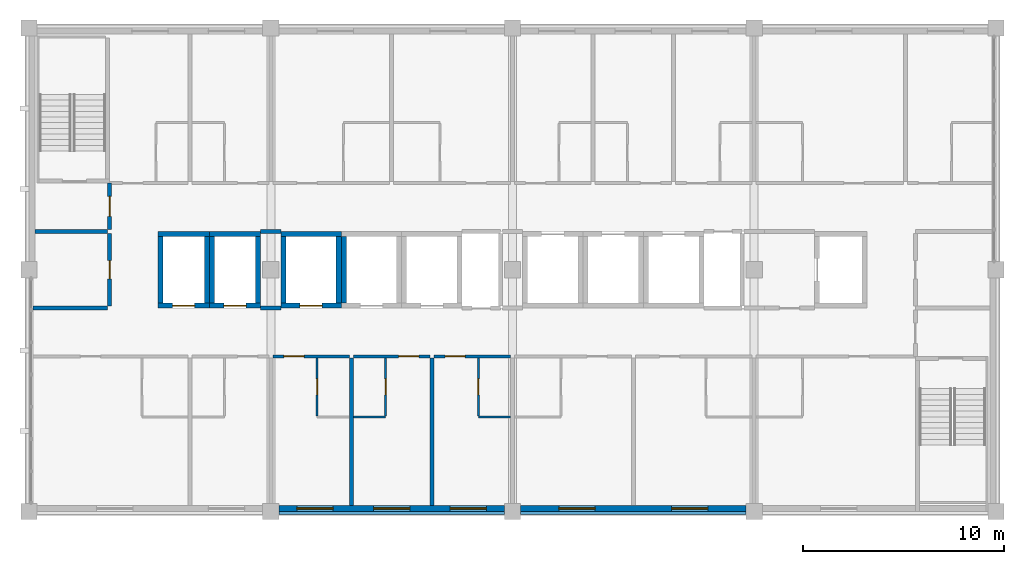
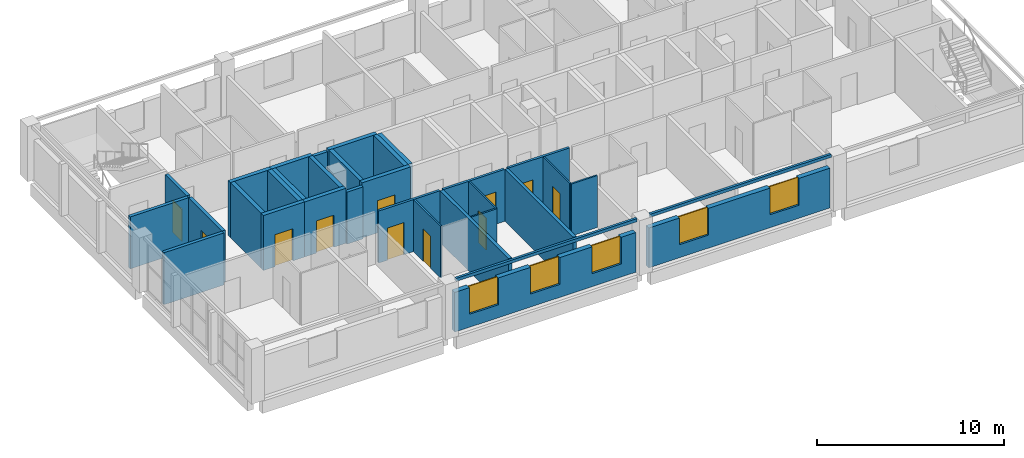
# One storey, part 6 of 11: 33 walls, 11 doors, 5 windows, 16 openings.
"""IFC4 building model written with IfcOpenShell, lengths in metres."""

from ifc_helpers import new_model, si_unit, direction, frame, frame_2d, origin, place, context, subcontext, project, spatial, rectangle, extrude, material, layer, layer_set, type_object, element, fill, save


model = new_model("IFC4")

# Units and contexts
model_context = context("Model", 3, precision=1e-05, world=origin(), true_north=direction((0.0, 1.0)))
body_context = subcontext(model_context, "Body", "Model", "MODEL_VIEW")
ifc_project = project(units=[si_unit("LENGTHUNIT", "METRE"), si_unit("AREAUNIT", "SQUARE_METRE"), si_unit("VOLUMEUNIT", "CUBIC_METRE"), si_unit("PLANEANGLEUNIT", "RADIAN"), si_unit("MASSUNIT", "GRAM", prefix="KILO")], contexts=[model_context])

# Site, building, storey
site_placement = place(None, origin())
site = spatial("IfcSite", under=ifc_project, at=site_placement, CompositionType="ELEMENT")
building_placement = place(site_placement, origin())
building = spatial("IfcBuilding", under=site, at=building_placement, Name="Lilac Gate Convention Centre", CompositionType="ELEMENT")
storey_placement = place(building_placement, frame((0.0, 0.0, 46.199951171875)))
storey = spatial("IfcBuildingStorey", under=building, at=storey_placement, Name="L11", CompositionType="ELEMENT", Elevation=46.199951171875)

# Wall, opening, door
ifc_material_1 = material(Name="Concrete C50", Category="concrete")
ifc_layer_1 = layer(ifc_material_1, 0.25)
ifc_layer_set_1 = layer_set([ifc_layer_1], Name="Concrete C50")
wall_type_1 = type_object("IfcWallType", Name="Core wall 250 C50", PredefinedType="SHEAR", material=ifc_layer_set_1)
wall_1_placement = place(storey_placement, frame((54.5, 232.22509765625, 0.0), z_axis=(0.0, 0.0, 1.0), x_axis=(1.0, 0.0, 0.0)))
wall_1 = element("IfcWall", 1, at=wall_1_placement, inside=storey, type_object=wall_type_1, Name="CRW4 core wall TC L11 1", PredefinedType="SHEAR", context=body_context, shape_type="SweptSolid", body=[
    extrude(rectangle(XDim=3.0, YDim=0.25, at=frame_2d((1.5, 0.0))), origin(), (0.0, 0.0, 1.0), 3.60009765625),
])
opening_1_placement = place(wall_1_placement, frame((0.949951171875, 0.0, 0.0)))
opening_1 = element("IfcOpeningElement", 2, at=opening_1_placement, cuts=wall_1, Name="Opening T10-042", PredefinedType="OPENING", context=body_context, shape_type="SweptSolid", body=[
    extrude(rectangle(XDim=1.10009765625, YDim=2.10009765625, at=frame_2d((0.550048828125, 1.050048828125))), frame((0.0, 0.135009765625, 0.0), z_axis=(0.0, -1.0, 0.0), x_axis=(1.0, 0.0, 0.0)), (0.0, 0.0, 1.0), 0.27001953125),
])
ifc_material_2 = material(Name="Stainless steel 304", Category="steel")
door_type_1 = type_object("IfcDoorType", Name="Lift landing door 1100", OperationType="SLIDING_TO_LEFT", PredefinedType="DOOR", material=ifc_material_2)
door_1_placement = place(opening_1_placement, origin())
door_1 = element("IfcDoor", 3, at=door_1_placement, inside=storey, type_object=door_type_1, Name="Lift landing door TP1 L11", OperationType="SLIDING_TO_LEFT", OverallHeight=2.10009765625, OverallWidth=1.10009765625, PredefinedType="DOOR", context=body_context, shape_type="SweptSolid", body=[
    extrude(rectangle(XDim=1.10009765625, YDim=2.10009765625, at=frame_2d((0.550048828125, 1.050048828125))), frame((0.0, 0.02490234375, 0.0), z_axis=(0.0, -1.0, 0.0), x_axis=(1.0, 0.0, 0.0)), (0.0, 0.0, 1.0), 0.050048828125),
])
fill(opening_1, door_1)

# Walls
wall_2_placement = place(storey_placement, frame((54.5, 235.77490234375, 0.0), z_axis=(0.0, 0.0, 1.0), x_axis=(1.0, 0.0, 0.0)))
element("IfcWall", 4, at=wall_2_placement, inside=storey, type_object=wall_type_1, Name="CRW4 core wall TC L11 2", PredefinedType="SHEAR", context=body_context, shape_type="SweptSolid", body=[
    extrude(rectangle(XDim=3.0, YDim=0.25, at=frame_2d((1.5, 0.0))), origin(), (0.0, 0.0, 1.0), 3.60009765625),
])
for number, where, z_axis, x_axis, name in (
    (5, (54.625, 232.35009765625, 0.0), (0.0, 0.0, 1.0), (0.0, 1.0, 0.0), "CRW4 core wall TC L11 3"),
    (6, (57.375, 232.35009765625, 0.0), (0.0, 0.0, 1.0), (0.0, 1.0, 0.0), "CRW4 core wall TC L11 4"),
    (7, (57.625, 232.35009765625, 0.0), (0.0, 0.0, 1.0), (0.0, 1.0, 0.0), "CRW4 core wall TC L11 7"),
):
    element("IfcWall", number, at=place(storey_placement, frame(where, z_axis=z_axis, x_axis=x_axis)), inside=storey, type_object=wall_type_1, Name=name, PredefinedType="SHEAR", context=body_context, shape_type="SweptSolid", body=[
        extrude(rectangle(XDim=3.2998046875, YDim=0.25, at=frame_2d((1.64990234375, 0.0))), origin(), (0.0, 0.0, 1.0), 3.60009765625),
    ])

# Wall, opening, door
wall_3_placement = place(storey_placement, frame((48.39990234375, 232.22509765625, 0.0), z_axis=(0.0, 0.0, 1.0), x_axis=(1.0, 0.0, 0.0)))
wall_3 = element("IfcWall", 8, at=wall_3_placement, inside=storey, type_object=wall_type_1, Name="CRW4 core wall TC L11 25", PredefinedType="SHEAR", context=body_context, shape_type="SweptSolid", body=[
    extrude(rectangle(XDim=2.550048828125, YDim=0.25, at=frame_2d((1.27490234375, 0.0))), origin(), (0.0, 0.0, 1.0), 3.60009765625),
])
opening_2_placement = place(wall_3_placement, frame((0.72509765625, 0.0, 0.0)))
opening_2 = element("IfcOpeningElement", 9, at=opening_2_placement, cuts=wall_3, Name="Opening T10-048", PredefinedType="OPENING", context=body_context, shape_type="SweptSolid", body=[
    extrude(rectangle(XDim=1.10009765625, YDim=2.10009765625, at=frame_2d((0.550048828125, 1.050048828125))), frame((0.0, 0.135009765625, 0.0), z_axis=(0.0, -1.0, 0.0), x_axis=(1.0, 0.0, 0.0)), (0.0, 0.0, 1.0), 0.27001953125),
])
door_2_placement = place(opening_2_placement, origin())
door_2 = element("IfcDoor", 10, at=door_2_placement, inside=storey, type_object=door_type_1, Name="Lift landing door TS1 L11", OperationType="SLIDING_TO_LEFT", OverallHeight=2.10009765625, OverallWidth=1.10009765625, PredefinedType="DOOR", context=body_context, shape_type="SweptSolid", body=[
    extrude(rectangle(XDim=1.10009765625, YDim=2.10009765625, at=frame_2d((0.550048828125, 1.050048828125))), frame((0.0, 0.02490234375, 0.0), z_axis=(0.0, -1.0, 0.0), x_axis=(1.0, 0.0, 0.0)), (0.0, 0.0, 1.0), 0.050048828125),
])
fill(opening_2, door_2)

# Walls
wall_4_placement = place(storey_placement, frame((48.39990234375, 235.77490234375, 0.0), z_axis=(0.0, 0.0, 1.0), x_axis=(1.0, 0.0, 0.0)))
element("IfcWall", 11, at=wall_4_placement, inside=storey, type_object=wall_type_1, Name="CRW4 core wall TC L11 26", PredefinedType="SHEAR", context=body_context, shape_type="SweptSolid", body=[
    extrude(rectangle(XDim=2.550048828125, YDim=0.25, at=frame_2d((1.27490234375, 0.0))), origin(), (0.0, 0.0, 1.0), 3.60009765625),
])
for number, where, z_axis, x_axis, name in (
    (12, (48.52490234375, 232.35009765625, 0.0), (0.0, 0.0, 1.0), (0.0, 1.0, 0.0), "CRW4 core wall TC L11 27"),
    (13, (50.824951171875, 232.35009765625, 0.0), (0.0, 0.0, 1.0), (0.0, 1.0, 0.0), "CRW4 core wall TC L11 28"),
):
    element("IfcWall", number, at=place(storey_placement, frame(where, z_axis=z_axis, x_axis=x_axis)), inside=storey, type_object=wall_type_1, Name=name, PredefinedType="SHEAR", context=body_context, shape_type="SweptSolid", body=[
        extrude(rectangle(XDim=3.2998046875, YDim=0.25, at=frame_2d((1.64990234375, 0.0))), origin(), (0.0, 0.0, 1.0), 3.60009765625),
    ])

# Wall, opening, door
wall_5_placement = place(storey_placement, frame((50.949951171875, 232.22509765625, 0.0), z_axis=(0.0, 0.0, 1.0), x_axis=(1.0, 0.0, 0.0)))
wall_5 = element("IfcWall", 14, at=wall_5_placement, inside=storey, type_object=wall_type_1, Name="CRW4 core wall TC L11 29", PredefinedType="SHEAR", context=body_context, shape_type="SweptSolid", body=[
    extrude(rectangle(XDim=2.550048828125, YDim=0.25, at=frame_2d((1.27490234375, 0.0))), origin(), (0.0, 0.0, 1.0), 3.60009765625),
])
opening_3_placement = place(wall_5_placement, frame((0.72509765625, 0.0, 0.0)))
opening_3 = element("IfcOpeningElement", 15, at=opening_3_placement, cuts=wall_5, Name="Opening T10-049", PredefinedType="OPENING", context=body_context, shape_type="SweptSolid", body=[
    extrude(rectangle(XDim=1.10009765625, YDim=2.10009765625, at=frame_2d((0.550048828125, 1.050048828125))), frame((0.0, 0.135009765625, 0.0), z_axis=(0.0, -1.0, 0.0), x_axis=(1.0, 0.0, 0.0)), (0.0, 0.0, 1.0), 0.27001953125),
])
door_3_placement = place(opening_3_placement, origin())
door_3 = element("IfcDoor", 16, at=door_3_placement, inside=storey, type_object=door_type_1, Name="Lift landing door TS2 L11", OperationType="SLIDING_TO_LEFT", OverallHeight=2.10009765625, OverallWidth=1.10009765625, PredefinedType="DOOR", context=body_context, shape_type="SweptSolid", body=[
    extrude(rectangle(XDim=1.10009765625, YDim=2.10009765625, at=frame_2d((0.550048828125, 1.050048828125))), frame((0.0, 0.02490234375, 0.0), z_axis=(0.0, -1.0, 0.0), x_axis=(1.0, 0.0, 0.0)), (0.0, 0.0, 1.0), 0.050048828125),
])
fill(opening_3, door_3)

# Walls
wall_6_placement = place(storey_placement, frame((50.949951171875, 235.77490234375, 0.0), z_axis=(0.0, 0.0, 1.0), x_axis=(1.0, 0.0, 0.0)))
element("IfcWall", 17, at=wall_6_placement, inside=storey, type_object=wall_type_1, Name="CRW4 core wall TC L11 30", PredefinedType="SHEAR", context=body_context, shape_type="SweptSolid", body=[
    extrude(rectangle(XDim=2.550048828125, YDim=0.25, at=frame_2d((1.27490234375, 0.0))), origin(), (0.0, 0.0, 1.0), 3.60009765625),
])
for number, where, z_axis, x_axis, name in (
    (18, (51.074951171875, 232.35009765625, 0.0), (0.0, 0.0, 1.0), (0.0, 1.0, 0.0), "CRW4 core wall TC L11 31"),
    (19, (53.375, 232.35009765625, 0.0), (0.0, 0.0, 1.0), (0.0, 1.0, 0.0), "CRW4 core wall TC L11 32"),
):
    element("IfcWall", number, at=place(storey_placement, frame(where, z_axis=z_axis, x_axis=x_axis)), inside=storey, type_object=wall_type_1, Name=name, PredefinedType="SHEAR", context=body_context, shape_type="SweptSolid", body=[
        extrude(rectangle(XDim=3.2998046875, YDim=0.25, at=frame_2d((1.64990234375, 0.0))), origin(), (0.0, 0.0, 1.0), 3.60009765625),
    ])

# Wall, opening, door
ifc_material_3 = material(Name="Gypsum board on steel stud", Category="steel")
ifc_layer_2 = layer(ifc_material_3, 0.14990234375)
ifc_layer_set_2 = layer_set([ifc_layer_2], Name="Gypsum board on steel stud")
wall_type_2 = type_object("IfcWallType", Name="Corridor wall 150", PredefinedType="PARTITIONING", material=ifc_layer_set_2)
wall_7_placement = place(storey_placement, frame((57.89990234375, 229.699951171875, 0.0), z_axis=(0.0, 0.0, 1.0), x_axis=(-1.0, 0.0, 0.0)))
wall_7 = element("IfcWall", 20, at=wall_7_placement, inside=storey, type_object=wall_type_2, Name="Corridor wall 150 front 1103", PredefinedType="PARTITIONING", context=body_context, shape_type="SweptSolid", body=[
    extrude(rectangle(XDim=3.7998046875, YDim=0.14990234375, at=frame_2d((1.89990234375, 0.0))), origin(), (0.0, 0.0, 1.0), 3.400146484375),
])
opening_4_placement = place(wall_7_placement, frame((2.25, 0.0, 0.0)))
opening_4 = element("IfcOpeningElement", 21, at=opening_4_placement, cuts=wall_7, Name="Opening T10-012", PredefinedType="OPENING", context=body_context, shape_type="SweptSolid", body=[
    extrude(rectangle(XDim=1.0, YDim=2.10009765625, at=frame_2d((0.5, 1.050048828125))), frame((0.0, 0.0849609375, 0.0), z_axis=(0.0, -1.0, 0.0), x_axis=(1.0, 0.0, 0.0)), (0.0, 0.0, 1.0), 0.169921875),
])
ifc_material_4 = material(Name="Timber", Category="wood")
door_type_2 = type_object("IfcDoorType", Name="Guest room entrance door 1000", OperationType="SINGLE_SWING_LEFT", PredefinedType="DOOR", material=ifc_material_4)
door_4_placement = place(opening_4_placement, origin())
door_4 = element("IfcDoor", 22, at=door_4_placement, inside=storey, type_object=door_type_2, Name="Guest room door 1103", OperationType="SINGLE_SWING_RIGHT", OverallHeight=2.10009765625, OverallWidth=1.0, PredefinedType="DOOR", context=body_context, shape_type="SweptSolid", body=[
    extrude(rectangle(XDim=1.0, YDim=2.10009765625, at=frame_2d((0.5, 1.050048828125))), frame((0.0, 0.02490234375, 0.0), z_axis=(0.0, -1.0, 0.0), x_axis=(1.0, 0.0, 0.0)), (0.0, 0.0, 1.0), 0.050048828125),
])
fill(opening_4, door_4)

wall_8_placement = place(storey_placement, frame((61.89990234375, 229.699951171875, 0.0), z_axis=(0.0, 0.0, 1.0), x_axis=(-1.0, 0.0, 0.0)))
wall_8 = element("IfcWall", 23, at=wall_8_placement, inside=storey, type_object=wall_type_2, Name="Corridor wall 150 front 1104", PredefinedType="PARTITIONING", context=body_context, shape_type="SweptSolid", body=[
    extrude(rectangle(XDim=3.7998046875, YDim=0.14990234375, at=frame_2d((1.89990234375, 0.0))), origin(), (0.0, 0.0, 1.0), 3.400146484375),
])
opening_5_placement = place(wall_8_placement, frame((0.550048828125, 0.0, 0.0)))
opening_5 = element("IfcOpeningElement", 24, at=opening_5_placement, cuts=wall_8, Name="Opening T10-014", PredefinedType="OPENING", context=body_context, shape_type="SweptSolid", body=[
    extrude(rectangle(XDim=1.0, YDim=2.10009765625, at=frame_2d((0.5, 1.050048828125))), frame((0.0, 0.0849609375, 0.0), z_axis=(0.0, -1.0, 0.0), x_axis=(1.0, 0.0, 0.0)), (0.0, 0.0, 1.0), 0.169921875),
])
door_5_placement = place(opening_5_placement, origin())
door_5 = element("IfcDoor", 25, at=door_5_placement, inside=storey, type_object=door_type_2, Name="Guest room door 1104", OperationType="SINGLE_SWING_LEFT", OverallHeight=2.10009765625, OverallWidth=1.0, PredefinedType="DOOR", context=body_context, shape_type="SweptSolid", body=[
    extrude(rectangle(XDim=1.0, YDim=2.10009765625, at=frame_2d((0.5, 1.050048828125))), frame((0.0, 0.02490234375, 0.0), z_axis=(0.0, -1.0, 0.0), x_axis=(1.0, 0.0, 0.0)), (0.0, 0.0, 1.0), 0.050048828125),
])
fill(opening_5, door_5)

wall_9_placement = place(storey_placement, frame((65.89990234375, 229.699951171875, 0.0), z_axis=(0.0, 0.0, 1.0), x_axis=(-1.0, 0.0, 0.0)))
wall_9 = element("IfcWall", 26, at=wall_9_placement, inside=storey, type_object=wall_type_2, Name="Corridor wall 150 front 1105", PredefinedType="PARTITIONING", context=body_context, shape_type="SweptSolid", body=[
    extrude(rectangle(XDim=3.7998046875, YDim=0.14990234375, at=frame_2d((1.89990234375, 0.0))), origin(), (0.0, 0.0, 1.0), 3.400146484375),
])
opening_6_placement = place(wall_9_placement, frame((2.25, 0.0, 0.0)))
opening_6 = element("IfcOpeningElement", 27, at=opening_6_placement, cuts=wall_9, Name="Opening T10-016", PredefinedType="OPENING", context=body_context, shape_type="SweptSolid", body=[
    extrude(rectangle(XDim=1.0, YDim=2.10009765625, at=frame_2d((0.5, 1.050048828125))), frame((0.0, 0.0849609375, 0.0), z_axis=(0.0, -1.0, 0.0), x_axis=(1.0, 0.0, 0.0)), (0.0, 0.0, 1.0), 0.169921875),
])
door_6_placement = place(opening_6_placement, origin())
door_6 = element("IfcDoor", 28, at=door_6_placement, inside=storey, type_object=door_type_2, Name="Guest room door 1105", OperationType="SINGLE_SWING_LEFT", OverallHeight=2.10009765625, OverallWidth=1.0, PredefinedType="DOOR", context=body_context, shape_type="SweptSolid", body=[
    extrude(rectangle(XDim=1.0, YDim=2.10009765625, at=frame_2d((0.5, 1.050048828125))), frame((0.0, 0.02490234375, 0.0), z_axis=(0.0, -1.0, 0.0), x_axis=(1.0, 0.0, 0.0)), (0.0, 0.0, 1.0), 0.050048828125),
])
fill(opening_6, door_6)

ifc_layer_3 = layer(ifc_material_3, 0.10009765625)
ifc_layer_set_3 = layer_set([ifc_layer_3], Name="Gypsum board on steel stud")
wall_type_3 = type_object("IfcWallType", Name="En-suite wall 100", PredefinedType="PARTITIONING", material=ifc_layer_set_3)
wall_10_placement = place(storey_placement, frame((56.300048828125, 226.75, 0.0), z_axis=(0.0, 0.0, 1.0), x_axis=(0.0, 1.0, 0.0)))
wall_10 = element("IfcWall", 29, at=wall_10_placement, inside=storey, type_object=wall_type_3, Name="En-suite wall 100 bath side 1103", PredefinedType="PARTITIONING", context=body_context, shape_type="SweptSolid", body=[
    extrude(rectangle(XDim=2.875, YDim=0.10009765625, at=frame_2d((1.4375, 0.0))), origin(), (0.0, 0.0, 1.0), 3.400146484375),
])
opening_7_placement = place(wall_10_placement, frame((1.03759765625, 0.0, 0.0)))
opening_7 = element("IfcOpeningElement", 30, at=opening_7_placement, cuts=wall_10, Name="Opening T10-013", PredefinedType="OPENING", context=body_context, shape_type="SweptSolid", body=[
    extrude(rectangle(XDim=0.800048828125, YDim=2.10009765625, at=frame_2d((0.39990234375, 1.050048828125))), frame((0.0, 0.06005859375, 0.0), z_axis=(0.0, -1.0, 0.0), x_axis=(1.0, 0.0, 0.0)), (0.0, 0.0, 1.0), 0.1201171875),
])
door_type_3 = type_object("IfcDoorType", Name="En-suite door 800", OperationType="SINGLE_SWING_LEFT", PredefinedType="DOOR", material=ifc_material_4)
door_7_placement = place(opening_7_placement, origin())
door_7 = element("IfcDoor", 31, at=door_7_placement, inside=storey, type_object=door_type_3, Name="En-suite door 1103", OperationType="SINGLE_SWING_RIGHT", OverallHeight=2.10009765625, OverallWidth=0.800048828125, PredefinedType="DOOR", context=body_context, shape_type="SweptSolid", body=[
    extrude(rectangle(XDim=0.800048828125, YDim=2.10009765625, at=frame_2d((0.39990234375, 1.050048828125))), frame((0.0, 0.02490234375, 0.0), z_axis=(0.0, -1.0, 0.0), x_axis=(1.0, 0.0, 0.0)), (0.0, 0.0, 1.0), 0.050048828125),
])
fill(opening_7, door_7)

# Wall
wall_11_placement = place(storey_placement, frame((58.10009765625, 226.699951171875, 0.0), z_axis=(0.0, 0.0, 1.0), x_axis=(1.0, 0.0, 0.0)))
element("IfcWall", 32, at=wall_11_placement, inside=storey, type_object=wall_type_3, Name="En-suite wall 100 bath 1104", PredefinedType="PARTITIONING", context=body_context, shape_type="SweptSolid", body=[
    extrude(rectangle(XDim=1.599853515625, YDim=0.10009765625, at=frame_2d((0.7998046875, 0.0))), origin(), (0.0, 0.0, 1.0), 3.400146484375),
])

# Wall, opening, door
wall_12_placement = place(storey_placement, frame((59.699951171875, 229.625, 0.0), z_axis=(0.0, 0.0, 1.0), x_axis=(0.0, -1.0, 0.0)))
wall_12 = element("IfcWall", 33, at=wall_12_placement, inside=storey, type_object=wall_type_3, Name="En-suite wall 100 bath side 1104", PredefinedType="PARTITIONING", context=body_context, shape_type="SweptSolid", body=[
    extrude(rectangle(XDim=2.875, YDim=0.10009765625, at=frame_2d((1.4375, 0.0))), origin(), (0.0, 0.0, 1.0), 3.400146484375),
])
opening_8_placement = place(wall_12_placement, frame((1.03759765625, 0.0, 0.0)))
opening_8 = element("IfcOpeningElement", 34, at=opening_8_placement, cuts=wall_12, Name="Opening T10-015", PredefinedType="OPENING", context=body_context, shape_type="SweptSolid", body=[
    extrude(rectangle(XDim=0.800048828125, YDim=2.10009765625, at=frame_2d((0.39990234375, 1.050048828125))), frame((0.0, 0.06005859375, 0.0), z_axis=(0.0, -1.0, 0.0), x_axis=(1.0, 0.0, 0.0)), (0.0, 0.0, 1.0), 0.1201171875),
])
door_8_placement = place(opening_8_placement, origin())
door_8 = element("IfcDoor", 35, at=door_8_placement, inside=storey, type_object=door_type_3, Name="En-suite door 1104", OperationType="SINGLE_SWING_LEFT", OverallHeight=2.10009765625, OverallWidth=0.800048828125, PredefinedType="DOOR", context=body_context, shape_type="SweptSolid", body=[
    extrude(rectangle(XDim=0.800048828125, YDim=2.10009765625, at=frame_2d((0.39990234375, 1.050048828125))), frame((0.0, 0.02490234375, 0.0), z_axis=(0.0, -1.0, 0.0), x_axis=(1.0, 0.0, 0.0)), (0.0, 0.0, 1.0), 0.050048828125),
])
fill(opening_8, door_8)

# Wall
wall_13_placement = place(storey_placement, frame((64.300048828125, 226.699951171875, 0.0), z_axis=(0.0, 0.0, 1.0), x_axis=(1.0, 0.0, 0.0)))
element("IfcWall", 36, at=wall_13_placement, inside=storey, type_object=wall_type_3, Name="En-suite wall 100 bath 1105", PredefinedType="PARTITIONING", context=body_context, shape_type="SweptSolid", body=[
    extrude(rectangle(XDim=1.599853515625, YDim=0.10009765625, at=frame_2d((0.7998046875, 0.0))), origin(), (0.0, 0.0, 1.0), 3.400146484375),
])

# Wall, opening, door
wall_14_placement = place(storey_placement, frame((64.300048828125, 226.75, 0.0), z_axis=(0.0, 0.0, 1.0), x_axis=(0.0, 1.0, 0.0)))
wall_14 = element("IfcWall", 37, at=wall_14_placement, inside=storey, type_object=wall_type_3, Name="En-suite wall 100 bath side 1105", PredefinedType="PARTITIONING", context=body_context, shape_type="SweptSolid", body=[
    extrude(rectangle(XDim=2.875, YDim=0.10009765625, at=frame_2d((1.4375, 0.0))), origin(), (0.0, 0.0, 1.0), 3.400146484375),
])
opening_9_placement = place(wall_14_placement, frame((1.03759765625, 0.0, 0.0)))
opening_9 = element("IfcOpeningElement", 38, at=opening_9_placement, cuts=wall_14, Name="Opening T10-017", PredefinedType="OPENING", context=body_context, shape_type="SweptSolid", body=[
    extrude(rectangle(XDim=0.800048828125, YDim=2.10009765625, at=frame_2d((0.39990234375, 1.050048828125))), frame((0.0, 0.06005859375, 0.0), z_axis=(0.0, -1.0, 0.0), x_axis=(1.0, 0.0, 0.0)), (0.0, 0.0, 1.0), 0.1201171875),
])
door_9_placement = place(opening_9_placement, origin())
door_9 = element("IfcDoor", 39, at=door_9_placement, inside=storey, type_object=door_type_3, Name="En-suite door 1105", OperationType="SINGLE_SWING_RIGHT", OverallHeight=2.10009765625, OverallWidth=0.800048828125, PredefinedType="DOOR", context=body_context, shape_type="SweptSolid", body=[
    extrude(rectangle(XDim=0.800048828125, YDim=2.10009765625, at=frame_2d((0.39990234375, 1.050048828125))), frame((0.0, 0.02490234375, 0.0), z_axis=(0.0, -1.0, 0.0), x_axis=(1.0, 0.0, 0.0)), (0.0, 0.0, 1.0), 0.050048828125),
])
fill(opening_9, door_9)

# Walls
ifc_layer_4 = layer(ifc_material_3, 0.199951171875)
ifc_layer_set_4 = layer_set([ifc_layer_4], Name="Gypsum board on steel stud")
wall_type_4 = type_object("IfcWallType", Name="Guest room party wall 200", PredefinedType="PARTITIONING", material=ifc_layer_set_4)
for number, where, z_axis, x_axis, name in (
    (40, (58.0, 222.2998046875, 0.0), (0.0, 0.0, 1.0), (0.0, 1.0, 0.0), "Guest room party wall 200 party 58.0"),
    (41, (62.0, 222.2998046875, 0.0), (0.0, 0.0, 1.0), (0.0, 1.0, 0.0), "Guest room party wall 200 party 62.0"),
):
    element("IfcWall", number, at=place(storey_placement, frame(where, z_axis=z_axis, x_axis=x_axis)), inside=storey, type_object=wall_type_4, Name=name, PredefinedType="PARTITIONING", context=body_context, shape_type="SweptSolid", body=[
        extrude(rectangle(XDim=7.3251953125, YDim=0.199951171875, at=frame_2d((3.66259765625, 0.0))), origin(), (0.0, 0.0, 1.0), 3.400146484375),
    ])

# Wall, opening, door
ifc_layer_5 = layer(ifc_material_3, 0.199951171875)
ifc_layer_set_5 = layer_set([ifc_layer_5], Name="Gypsum board on steel stud")
wall_type_5 = type_object("IfcWallType", Name="Lobby wall 200", PredefinedType="PARTITIONING", material=ifc_layer_set_5)
wall_15_placement = place(storey_placement, frame((46.0, 236.0, 0.0), z_axis=(0.0, 0.0, 1.0), x_axis=(0.0, 1.0, 0.0)))
wall_15 = element("IfcWall", 42, at=wall_15_placement, inside=storey, type_object=wall_type_5, Name="Lobby wall 200 STL-NW-E", PredefinedType="PARTITIONING", context=body_context, shape_type="SweptSolid", body=[
    extrude(rectangle(XDim=2.300048828125, YDim=0.199951171875, at=frame_2d((1.14990234375, 0.0))), origin(), (0.0, 0.0, 1.0), 3.400146484375),
])
opening_10_placement = place(wall_15_placement, frame((0.64990234375, 0.0, 0.0)))
opening_10 = element("IfcOpeningElement", 43, at=opening_10_placement, cuts=wall_15, Name="Opening T10-006", PredefinedType="OPENING", context=body_context, shape_type="SweptSolid", body=[
    extrude(rectangle(XDim=1.0, YDim=2.10009765625, at=frame_2d((0.5, 1.050048828125))), frame((0.0, 0.10986328125, 0.0), z_axis=(0.0, -1.0, 0.0), x_axis=(1.0, 0.0, 0.0)), (0.0, 0.0, 1.0), 0.219970703125),
])
ifc_material_5 = material(Name="Steel Q235B", Category="steel")
door_type_4 = type_object("IfcDoorType", Name="Lobby door 1000", OperationType="SINGLE_SWING_LEFT", PredefinedType="DOOR", material=ifc_material_5)
door_10_placement = place(opening_10_placement, origin())
door_10 = element("IfcDoor", 44, at=door_10_placement, inside=storey, type_object=door_type_4, Name="Stair lobby door NW", OperationType="SINGLE_SWING_LEFT", OverallHeight=2.10009765625, OverallWidth=1.0, PredefinedType="DOOR", context=body_context, shape_type="SweptSolid", body=[
    extrude(rectangle(XDim=1.0, YDim=2.10009765625, at=frame_2d((0.5, 1.050048828125))), frame((0.0, 0.02490234375, 0.0), z_axis=(0.0, -1.0, 0.0), x_axis=(1.0, 0.0, 0.0)), (0.0, 0.0, 1.0), 0.050048828125),
])
fill(opening_10, door_10)

# Walls
ifc_material_6 = material(Name="Concrete C40 precast", Category="concrete")
ifc_layer_6 = layer(ifc_material_6, 0.1298828125)
ifc_material_7 = material(Name="Teal glazed cladding")
ifc_layer_7 = layer(ifc_material_7, 0.02001953125)
ifc_layer_set_6 = layer_set([ifc_layer_6, ifc_layer_7], Name="Concrete C40 precast, Teal glazed cladding")
wall_type_6 = type_object("IfcWallType", Name="Precast band teal 150", PredefinedType="STANDARD", material=ifc_layer_set_6)
for number, where, z_axis, x_axis, name in (
    (45, (54.39990234375, 221.925048828125, 3.400146484375), (0.0, 0.0, 1.0), (1.0, 0.0, 0.0), "Precast band S L11 2"),
    (46, (66.39990234375, 221.925048828125, 3.400146484375), (0.0, 0.0, 1.0), (1.0, 0.0, 0.0), "Precast band S L11 3"),
):
    element("IfcWall", number, at=place(storey_placement, frame(where, z_axis=z_axis, x_axis=x_axis)), inside=storey, type_object=wall_type_6, Name=name, PredefinedType="STANDARD", context=body_context, shape_type="SweptSolid", body=[
        extrude(rectangle(XDim=11.2001953125, YDim=0.14990234375, at=frame_2d((5.60009765625, 0.0))), origin(), (0.0, 0.0, 1.0), 0.199951171875),
    ])

# Wall, openings, windows
ifc_material_8 = material(Name="Ochre mineral render")
ifc_layer_8 = layer(ifc_material_8, 0.02001953125)
ifc_layer_9 = layer(ifc_material_6, 0.06005859375)
ifc_material_9 = material(Name="Ventilated air cavity")
ifc_layer_10 = layer(ifc_material_9, 0.030029296875)
ifc_material_10 = material(Name="Mineral wool insulation")
ifc_layer_11 = layer(ifc_material_10, 0.1201171875)
ifc_material_11 = material(Name="Steel stud Q345 and gypsum lining", Category="steel")
ifc_layer_12 = layer(ifc_material_11, 0.070068359375)
ifc_layer_set_7 = layer_set([ifc_layer_8, ifc_layer_9, ifc_layer_10, ifc_layer_11, ifc_layer_12], Name="Ochre mineral render, Concrete C40 precast, Ventilated air cavity, Mineral wool insulation, Steel stud Q345 and gypsum lining")
wall_type_7 = type_object("IfcWallType", Name="Precast panel wall ochre 300", PredefinedType="STANDARD", material=ifc_layer_set_7)
wall_16_placement = place(storey_placement, frame((54.39990234375, 222.14990234375, 0.0), z_axis=(0.0, 0.0, 1.0), x_axis=(1.0, 0.0, 0.0)))
wall_16 = element("IfcWall", 47, at=wall_16_placement, inside=storey, type_object=wall_type_7, Name="External wall S L11 2", PredefinedType="STANDARD", context=body_context, shape_type="SweptSolid", body=[
    extrude(rectangle(XDim=11.2001953125, YDim=0.300048828125, at=frame_2d((5.60009765625, 0.0))), origin(), (0.0, 0.0, 1.0), 2.60009765625),
])
opening_11_placement = place(wall_16_placement, frame((0.89990234375, 0.0, 0.85009765625)))
opening_11 = element("IfcOpeningElement", 48, at=opening_11_placement, cuts=wall_16, Name="Opening W1", PredefinedType="OPENING", context=body_context, shape_type="SweptSolid", body=[
    extrude(rectangle(XDim=1.800048828125, YDim=1.75, at=frame_2d((0.89990234375, 0.875))), frame((0.0, 0.159912109375, 0.0), z_axis=(0.0, -1.0, 0.0), x_axis=(1.0, 0.0, 0.0)), (0.0, 0.0, 1.0), 0.320068359375),
])
opening_12_placement = place(wall_16_placement, frame((4.699951171875, 0.0, 0.85009765625)))
opening_12 = element("IfcOpeningElement", 49, at=opening_12_placement, cuts=wall_16, Name="Opening W1", PredefinedType="OPENING", context=body_context, shape_type="SweptSolid", body=[
    extrude(rectangle(XDim=1.800048828125, YDim=1.75, at=frame_2d((0.89990234375, 0.875))), frame((0.0, 0.159912109375, 0.0), z_axis=(0.0, -1.0, 0.0), x_axis=(1.0, 0.0, 0.0)), (0.0, 0.0, 1.0), 0.320068359375),
])
opening_13_placement = place(wall_16_placement, frame((8.5, 0.0, 0.85009765625)))
opening_13 = element("IfcOpeningElement", 50, at=opening_13_placement, cuts=wall_16, Name="Opening W1", PredefinedType="OPENING", context=body_context, shape_type="SweptSolid", body=[
    extrude(rectangle(XDim=1.800048828125, YDim=1.75, at=frame_2d((0.89990234375, 0.875))), frame((0.0, 0.159912109375, 0.0), z_axis=(0.0, -1.0, 0.0), x_axis=(1.0, 0.0, 0.0)), (0.0, 0.0, 1.0), 0.320068359375),
])
ifc_material_12 = material(Name="Aluminium framed double glazing", Category="aluminium")
window_type = type_object("IfcWindowType", Name="Guest room window 1800 x 1750", PartitioningType="DOUBLE_PANEL_VERTICAL", PredefinedType="WINDOW", material=ifc_material_12)
window_1_placement = place(opening_11_placement, origin())
window_1 = element("IfcWindow", 51, at=window_1_placement, inside=storey, type_object=window_type, Name="Window Guest S L11", OverallHeight=1.75, OverallWidth=1.800048828125, PartitioningType="SINGLE_PANEL", PredefinedType="WINDOW", context=body_context, shape_type="SweptSolid", body=[
    extrude(rectangle(XDim=1.800048828125, YDim=1.75, at=frame_2d((0.89990234375, 0.875))), frame((0.0, 0.030029296875, 0.0), z_axis=(0.0, -1.0, 0.0), x_axis=(1.0, 0.0, 0.0)), (0.0, 0.0, 1.0), 0.06005859375),
])
fill(opening_11, window_1)
window_2_placement = place(opening_12_placement, origin())
window_2 = element("IfcWindow", 52, at=window_2_placement, inside=storey, type_object=window_type, Name="Window Guest S L11", OverallHeight=1.75, OverallWidth=1.800048828125, PartitioningType="SINGLE_PANEL", PredefinedType="WINDOW", context=body_context, shape_type="SweptSolid", body=[
    extrude(rectangle(XDim=1.800048828125, YDim=1.75, at=frame_2d((0.89990234375, 0.875))), frame((0.0, 0.030029296875, 0.0), z_axis=(0.0, -1.0, 0.0), x_axis=(1.0, 0.0, 0.0)), (0.0, 0.0, 1.0), 0.06005859375),
])
fill(opening_12, window_2)
window_3_placement = place(opening_13_placement, origin())
window_3 = element("IfcWindow", 53, at=window_3_placement, inside=storey, type_object=window_type, Name="Window Guest S L11", OverallHeight=1.75, OverallWidth=1.800048828125, PartitioningType="SINGLE_PANEL", PredefinedType="WINDOW", context=body_context, shape_type="SweptSolid", body=[
    extrude(rectangle(XDim=1.800048828125, YDim=1.75, at=frame_2d((0.89990234375, 0.875))), frame((0.0, 0.030029296875, 0.0), z_axis=(0.0, -1.0, 0.0), x_axis=(1.0, 0.0, 0.0)), (0.0, 0.0, 1.0), 0.06005859375),
])
fill(opening_13, window_3)

wall_17_placement = place(storey_placement, frame((66.39990234375, 222.14990234375, 0.0), z_axis=(0.0, 0.0, 1.0), x_axis=(1.0, 0.0, 0.0)))
wall_17 = element("IfcWall", 54, at=wall_17_placement, inside=storey, type_object=wall_type_7, Name="External wall S L11 3", PredefinedType="STANDARD", context=body_context, shape_type="SweptSolid", body=[
    extrude(rectangle(XDim=11.2001953125, YDim=0.300048828125, at=frame_2d((5.60009765625, 0.0))), origin(), (0.0, 0.0, 1.0), 2.60009765625),
])
opening_14_placement = place(wall_17_placement, frame((1.89990234375, 0.0, 0.85009765625)))
opening_14 = element("IfcOpeningElement", 55, at=opening_14_placement, cuts=wall_17, Name="Opening W1", PredefinedType="OPENING", context=body_context, shape_type="SweptSolid", body=[
    extrude(rectangle(XDim=1.800048828125, YDim=1.75, at=frame_2d((0.89990234375, 0.875))), frame((0.0, 0.159912109375, 0.0), z_axis=(0.0, -1.0, 0.0), x_axis=(1.0, 0.0, 0.0)), (0.0, 0.0, 1.0), 0.320068359375),
])
opening_15_placement = place(wall_17_placement, frame((7.5, 0.0, 0.85009765625)))
opening_15 = element("IfcOpeningElement", 56, at=opening_15_placement, cuts=wall_17, Name="Opening W1", PredefinedType="OPENING", context=body_context, shape_type="SweptSolid", body=[
    extrude(rectangle(XDim=1.800048828125, YDim=1.75, at=frame_2d((0.89990234375, 0.875))), frame((0.0, 0.159912109375, 0.0), z_axis=(0.0, -1.0, 0.0), x_axis=(1.0, 0.0, 0.0)), (0.0, 0.0, 1.0), 0.320068359375),
])
window_4_placement = place(opening_14_placement, origin())
window_4 = element("IfcWindow", 57, at=window_4_placement, inside=storey, type_object=window_type, Name="Window Guest S L11", OverallHeight=1.75, OverallWidth=1.800048828125, PartitioningType="SINGLE_PANEL", PredefinedType="WINDOW", context=body_context, shape_type="SweptSolid", body=[
    extrude(rectangle(XDim=1.800048828125, YDim=1.75, at=frame_2d((0.89990234375, 0.875))), frame((0.0, 0.030029296875, 0.0), z_axis=(0.0, -1.0, 0.0), x_axis=(1.0, 0.0, 0.0)), (0.0, 0.0, 1.0), 0.06005859375),
])
fill(opening_14, window_4)
window_5_placement = place(opening_15_placement, origin())
window_5 = element("IfcWindow", 58, at=window_5_placement, inside=storey, type_object=window_type, Name="Window Guest S L11", OverallHeight=1.75, OverallWidth=1.800048828125, PartitioningType="SINGLE_PANEL", PredefinedType="WINDOW", context=body_context, shape_type="SweptSolid", body=[
    extrude(rectangle(XDim=1.800048828125, YDim=1.75, at=frame_2d((0.89990234375, 0.875))), frame((0.0, 0.030029296875, 0.0), z_axis=(0.0, -1.0, 0.0), x_axis=(1.0, 0.0, 0.0)), (0.0, 0.0, 1.0), 0.06005859375),
])
fill(opening_15, window_5)

# Walls
ifc_layer_13 = layer(ifc_material_3, 0.199951171875)
ifc_layer_set_8 = layer_set([ifc_layer_13], Name="Gypsum board on steel stud")
wall_type_8 = type_object("IfcWallType", Name="Riser and store wall 200", PredefinedType="PARTITIONING", material=ifc_layer_set_8)
wall_18_placement = place(storey_placement, frame((42.2001953125, 232.10009765625, 0.0), z_axis=(0.0, 0.0, 1.0), x_axis=(1.0, 0.0, 0.0)))
element("IfcWall", 59, at=wall_18_placement, inside=storey, type_object=wall_type_8, Name="Riser and store wall 200 HKW-S", PredefinedType="PARTITIONING", context=body_context, shape_type="SweptSolid", body=[
    extrude(rectangle(XDim=3.69970703125, YDim=0.199951171875, at=frame_2d((1.849853515625, 0.0))), origin(), (0.0, 0.0, 1.0), 3.400146484375),
])
wall_19_placement = place(storey_placement, frame((53.5, 232.10009765625, 0.0), z_axis=(0.0, 0.0, 1.0), x_axis=(1.0, 0.0, 0.0)))
element("IfcWall", 60, at=wall_19_placement, inside=storey, type_object=wall_type_8, Name="Riser and store wall 200 NICHE1-S", PredefinedType="PARTITIONING", context=body_context, shape_type="SweptSolid", body=[
    extrude(rectangle(XDim=1.0, YDim=0.199951171875, at=frame_2d((0.5, 0.0))), origin(), (0.0, 0.0, 1.0), 3.400146484375),
])
wall_20_placement = place(storey_placement, frame((42.2998046875, 235.89990234375, 0.0), z_axis=(0.0, 0.0, 1.0), x_axis=(1.0, 0.0, 0.0)))
element("IfcWall", 61, at=wall_20_placement, inside=storey, type_object=wall_type_8, Name="Riser and store wall 200 HKW-N", PredefinedType="PARTITIONING", context=body_context, shape_type="SweptSolid", body=[
    extrude(rectangle(XDim=3.60009765625, YDim=0.199951171875, at=frame_2d((1.800048828125, 0.0))), origin(), (0.0, 0.0, 1.0), 3.400146484375),
])
wall_21_placement = place(storey_placement, frame((53.5, 235.89990234375, 0.0), z_axis=(0.0, 0.0, 1.0), x_axis=(1.0, 0.0, 0.0)))
element("IfcWall", 62, at=wall_21_placement, inside=storey, type_object=wall_type_8, Name="Riser and store wall 200 NICHE1-N", PredefinedType="PARTITIONING", context=body_context, shape_type="SweptSolid", body=[
    extrude(rectangle(XDim=1.0, YDim=0.199951171875, at=frame_2d((0.5, 0.0))), origin(), (0.0, 0.0, 1.0), 3.400146484375),
])

# Wall, opening, door
wall_22_placement = place(storey_placement, frame((46.0, 232.199951171875, 0.0), z_axis=(0.0, 0.0, 1.0), x_axis=(0.0, 1.0, 0.0)))
wall_22 = element("IfcWall", 63, at=wall_22_placement, inside=storey, type_object=wall_type_8, Name="Riser and store wall 200 HKW-E", PredefinedType="PARTITIONING", context=body_context, shape_type="SweptSolid", body=[
    extrude(rectangle(XDim=3.60009765625, YDim=0.199951171875, at=frame_2d((1.800048828125, 0.0))), origin(), (0.0, 0.0, 1.0), 3.400146484375),
])
opening_16_placement = place(wall_22_placement, frame((1.35009765625, 0.0, 0.0)))
opening_16 = element("IfcOpeningElement", 64, at=opening_16_placement, cuts=wall_22, Name="Opening T10-001", PredefinedType="OPENING", context=body_context, shape_type="SweptSolid", body=[
    extrude(rectangle(XDim=0.89990234375, YDim=2.10009765625, at=frame_2d((0.449951171875, 1.050048828125))), frame((0.0, 0.10986328125, 0.0), z_axis=(0.0, -1.0, 0.0), x_axis=(1.0, 0.0, 0.0)), (0.0, 0.0, 1.0), 0.219970703125),
])
door_type_5 = type_object("IfcDoorType", Name="Riser and store door 900", OperationType="SINGLE_SWING_LEFT", PredefinedType="DOOR", material=ifc_material_5)
door_11_placement = place(opening_16_placement, origin())
door_11 = element("IfcDoor", 65, at=door_11_placement, inside=storey, type_object=door_type_5, Name="Housekeeping door", OperationType="SINGLE_SWING_LEFT", OverallHeight=2.10009765625, OverallWidth=0.89990234375, PredefinedType="DOOR", context=body_context, shape_type="SweptSolid", body=[
    extrude(rectangle(XDim=0.89990234375, YDim=2.10009765625, at=frame_2d((0.449951171875, 1.050048828125))), frame((0.0, 0.02490234375, 0.0), z_axis=(0.0, -1.0, 0.0), x_axis=(1.0, 0.0, 0.0)), (0.0, 0.0, 1.0), 0.050048828125),
])
fill(opening_16, door_11)

save(model, "model.ifc")
